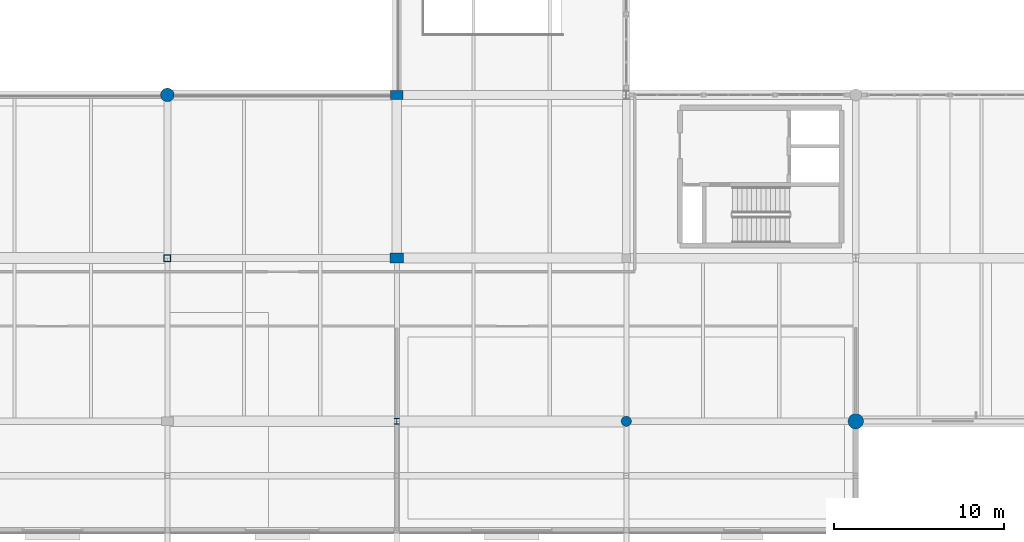
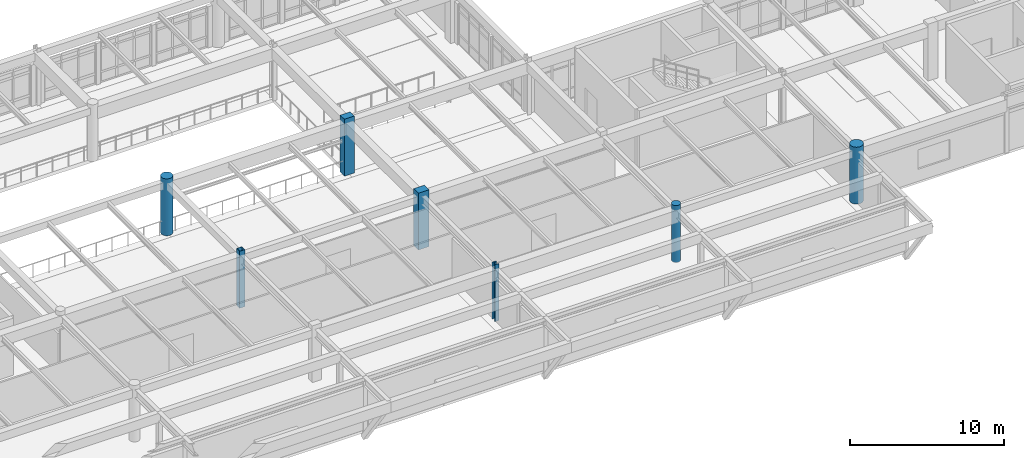
# One storey, part 5 of 80: 7 columns.
"""IFC4 building model written with IfcOpenShell, lengths in metres."""

from ifc_helpers import new_model, si_unit, direction, frame, origin, origin_2d, place, context, subcontext, project, spatial, rectangle, hollow_rectangle, circle, i_section, extrude, material, material_profile, profile_set, type_object, element, save


model = new_model("IFC4")

# Units and contexts
model_context = context("Model", 3, precision=1e-05, world=origin(), true_north=direction((0.0, 1.0)))
body_context = subcontext(model_context, "Body", "Model", "MODEL_VIEW")
ifc_project = project(units=[si_unit("LENGTHUNIT", "METRE"), si_unit("AREAUNIT", "SQUARE_METRE"), si_unit("VOLUMEUNIT", "CUBIC_METRE"), si_unit("PLANEANGLEUNIT", "RADIAN"), si_unit("MASSUNIT", "GRAM", prefix="KILO")], contexts=[model_context])

# Site, building, storey
site_placement = place(None, origin())
site = spatial("IfcSite", under=ifc_project, at=site_placement, CompositionType="ELEMENT")
building_placement = place(site_placement, origin())
building = spatial("IfcBuilding", under=site, at=building_placement, Name="Fikremerkos Civic Library", CompositionType="ELEMENT")
storey_placement = place(building_placement, frame((0.0, 0.0, 9.89990234375)))
storey = spatial("IfcBuildingStorey", under=building, at=storey_placement, Name="L02", CompositionType="ELEMENT", Elevation=9.89990234375)

# Columns
ifc_material_1 = material(Name="Concrete C40/50", Category="concrete")
ifc_material_profile_1 = material_profile(ifc_material_1, rectangle(XDim=0.800048828125, YDim=0.60009765625, at=origin_2d()), Name="RC 800x600")
ifc_profile_set_1 = profile_set([ifc_material_profile_1], Name="Concrete C40/50")
column_type_1 = type_object("IfcColumnType", Name="Structural column COL-14 RC 800x600", PredefinedType="COLUMN", material=ifc_profile_set_1)
column_1_placement = place(storey_placement, frame((86.699951171875, 21.60009765625, 0.0), z_axis=(0.0, 0.0, 1.0), x_axis=(1.0, 0.0, 0.0)))
element("IfcColumn", 1, at=column_1_placement, inside=storey, type_object=column_type_1, Name="Column COL-14 L02 8/F", PredefinedType="COLUMN", context=body_context, shape_type="SweptSolid", body=[
    extrude(rectangle(XDim=0.800048828125, YDim=0.60009765625, at=origin_2d()), origin(), (0.0, 0.0, 1.0), 4.5),
])
ifc_material_profile_2 = material_profile(ifc_material_1, rectangle(XDim=0.75, YDim=0.550048828125, at=origin_2d()), Name="RC 750x550")
ifc_profile_set_2 = profile_set([ifc_material_profile_2], Name="Concrete C40/50")
column_type_2 = type_object("IfcColumnType", Name="Structural column COL-15 RC 750x550", PredefinedType="COLUMN", material=ifc_profile_set_2)
column_2_placement = place(storey_placement, frame((86.699951171875, 31.199951171875, 0.0), z_axis=(0.0, 0.0, 1.0), x_axis=(1.0, 0.0, 0.0)))
element("IfcColumn", 2, at=column_2_placement, inside=storey, type_object=column_type_2, Name="Column COL-15 L02 8/G", PredefinedType="COLUMN", context=body_context, shape_type="SweptSolid", body=[
    extrude(rectangle(XDim=0.75, YDim=0.550048828125, at=origin_2d()), origin(), (0.0, 0.0, 1.0), 4.5),
])
ifc_material_2 = material(Name="Concrete C45/55", Category="concrete")
ifc_material_profile_3 = material_profile(ifc_material_2, circle(Radius=0.449951171875, at=origin_2d()), Name="RC D900")
ifc_profile_set_3 = profile_set([ifc_material_profile_3], Name="Concrete C45/55")
column_type_3 = type_object("IfcColumnType", Name="Structural column COL-17 RC D900", PredefinedType="COLUMN", material=ifc_profile_set_3)
column_3_placement = place(storey_placement, frame((113.699951171875, 12.0, 0.0), z_axis=(0.0, 0.0, 1.0), x_axis=(1.0, 0.0, 0.0)))
element("IfcColumn", 3, at=column_3_placement, inside=storey, type_object=column_type_3, Name="Column COL-17 L02 10/E", PredefinedType="COLUMN", context=body_context, shape_type="SweptSolid", body=[
    extrude(circle(Radius=0.449951171875, at=origin_2d()), origin(), (0.0, 0.0, 1.0), 4.5),
])
ifc_material_profile_4 = material_profile(ifc_material_1, circle(Radius=0.39990234375, at=origin_2d()), Name="RC D800")
ifc_profile_set_4 = profile_set([ifc_material_profile_4], Name="Concrete C40/50")
column_type_4 = type_object("IfcColumnType", Name="Structural column COL-18 RC D800", PredefinedType="COLUMN", material=ifc_profile_set_4)
column_4_placement = place(storey_placement, frame((73.199951171875, 31.199951171875, 0.0), z_axis=(0.0, 0.0, 1.0), x_axis=(1.0, 0.0, 0.0)))
element("IfcColumn", 4, at=column_4_placement, inside=storey, type_object=column_type_4, Name="Column COL-18 L02 7/G", PredefinedType="COLUMN", context=body_context, shape_type="SweptSolid", body=[
    extrude(circle(Radius=0.39990234375, at=origin_2d()), origin(), (0.0, 0.0, 1.0), 4.5),
])
ifc_material_profile_5 = material_profile(ifc_material_1, circle(Radius=0.300048828125, at=origin_2d()), Name="RC D600")
ifc_profile_set_5 = profile_set([ifc_material_profile_5], Name="Concrete C40/50")
column_type_5 = type_object("IfcColumnType", Name="Structural column COL-20 RC D600", PredefinedType="COLUMN", material=ifc_profile_set_5)
column_5_placement = place(storey_placement, frame((100.199951171875, 12.0, 0.0), z_axis=(0.0, 0.0, 1.0), x_axis=(1.0, 0.0, 0.0)))
element("IfcColumn", 5, at=column_5_placement, inside=storey, type_object=column_type_5, Name="Column COL-20 L02 9/E", PredefinedType="COLUMN", context=body_context, shape_type="SweptSolid", body=[
    extrude(circle(Radius=0.300048828125, at=origin_2d()), origin(), (0.0, 0.0, 1.0), 4.5),
])
ifc_material_3 = material(Name="Steel S355", Category="steel")
ifc_material_profile_6 = material_profile(ifc_material_3, i_section(OverallWidth=0.300048828125, OverallDepth=0.360107421875, WebThickness=0.012451171875, FlangeThickness=0.0224609375, FilletRadius=0.027099609375, at=origin_2d()), Name="HEB 360")
ifc_profile_set_6 = profile_set([ifc_material_profile_6], Name="Steel S355")
column_type_6 = type_object("IfcColumnType", Name="Structural column COL-25 HEB 360", PredefinedType="COLUMN", material=ifc_profile_set_6)
column_6_placement = place(storey_placement, frame((86.699951171875, 12.0, 0.0), z_axis=(0.0, 0.0, 1.0), x_axis=(1.0, 0.0, 0.0)))
element("IfcColumn", 6, at=column_6_placement, inside=storey, type_object=column_type_6, Name="Column COL-25 L02 8/E", PredefinedType="COLUMN", context=body_context, shape_type="SweptSolid", body=[
    extrude(i_section(OverallWidth=0.300048828125, OverallDepth=0.360107421875, WebThickness=0.012451171875, FlangeThickness=0.0224609375, FilletRadius=0.027099609375, at=origin_2d()), origin(), (0.0, 0.0, 1.0), 4.5),
])
ifc_material_profile_7 = material_profile(ifc_material_3, hollow_rectangle(XDim=0.39990234375, YDim=0.39990234375, WallThickness=0.01611328125, at=origin_2d()), Name="SHS 400x400x16")
ifc_profile_set_7 = profile_set([ifc_material_profile_7], Name="Steel S355")
column_type_7 = type_object("IfcColumnType", Name="Structural column COL-31 SHS 400x400x16", PredefinedType="COLUMN", material=ifc_profile_set_7)
column_7_placement = place(storey_placement, frame((73.199951171875, 21.60009765625, 0.0), z_axis=(0.0, 0.0, 1.0), x_axis=(1.0, 0.0, 0.0)))
element("IfcColumn", 7, at=column_7_placement, inside=storey, type_object=column_type_7, Name="Column COL-31 L02 7/F", PredefinedType="COLUMN", context=body_context, shape_type="SweptSolid", body=[
    extrude(hollow_rectangle(XDim=0.39990234375, YDim=0.39990234375, WallThickness=0.01611328125, at=origin_2d()), origin(), (0.0, 0.0, 1.0), 4.5),
])

save(model, "model.ifc")
